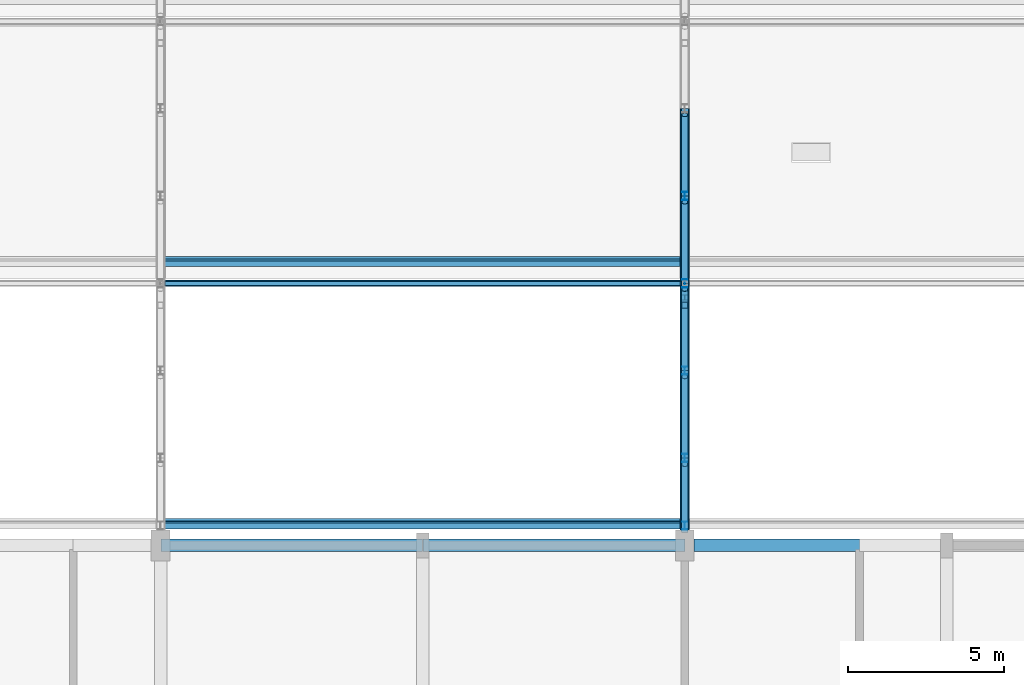
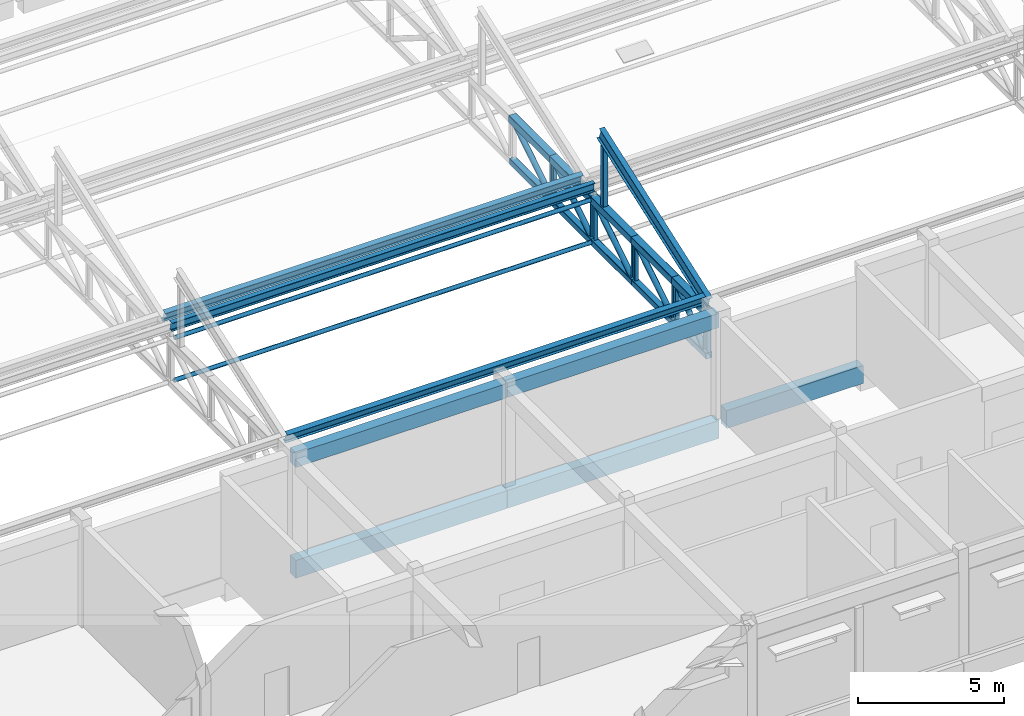
# One storey, part 26 of 101: 26 members, 6 beams.
"""IFC4 building model written with IfcOpenShell, lengths in metres."""

from ifc_helpers import new_model, si_unit, direction, frame, origin, origin_2d, place, context, subcontext, project, spatial, rectangle, hollow_rectangle, hollow_circle, i_section, extrude, material, material_profile, profile_set, type_object, element, save


model = new_model("IFC4")

# Units and contexts
model_context = context("Model", 3, precision=1e-05, world=origin(), true_north=direction((0.0, 1.0)))
body_context = subcontext(model_context, "Body", "Model", "MODEL_VIEW")
ifc_project = project(units=[si_unit("LENGTHUNIT", "METRE"), si_unit("AREAUNIT", "SQUARE_METRE"), si_unit("VOLUMEUNIT", "CUBIC_METRE"), si_unit("PLANEANGLEUNIT", "RADIAN"), si_unit("MASSUNIT", "GRAM", prefix="KILO")], contexts=[model_context])

# Site, building, storey
site_placement = place(None, origin())
site = spatial("IfcSite", under=ifc_project, at=site_placement, CompositionType="ELEMENT")
building_placement = place(site_placement, origin())
building = spatial("IfcBuilding", under=site, at=building_placement, Name="Fescue Hill Polytechnic", CompositionType="ELEMENT")
storey_placement = place(building_placement, frame((0.0, 0.0, 9.0)))
storey = spatial("IfcBuildingStorey", under=building, at=storey_placement, Name="L02", CompositionType="ELEMENT", Elevation=9.0)

# Beams
ifc_material_1 = material(Name="Concrete 35 MPa", Category="concrete")
ifc_material_profile_1 = material_profile(ifc_material_1, rectangle(XDim=0.39990234375, YDim=0.60009765625, at=origin_2d()), Name="RC 400x600")
ifc_profile_set_1 = profile_set([ifc_material_profile_1], Name="Concrete 35 MPa")
beam_type_1 = type_object("IfcBeamType", Name="Beam RC 400x600", PredefinedType="BEAM", material=ifc_profile_set_1)
beam_1_placement = place(storey_placement, frame((67.2099609375, 16.800048828125, 3.89990234375), z_axis=(1.0, 0.0, 0.0), x_axis=(0.0, 1.0, 0.0)))
element("IfcBeam", 1, at=beam_1_placement, inside=storey, type_object=beam_type_1, Name="BR-L02-0041", PredefinedType="BEAM", context=body_context, shape_type="SweptSolid", body=[
    extrude(rectangle(XDim=0.39990234375, YDim=0.60009765625, at=origin_2d()), origin(), (0.0, 0.0, 1.0), 8.380126953125),
])
beam_2_placement = place(storey_placement, frame((75.610107421875, 16.800048828125, 3.89990234375), z_axis=(1.0, 0.0, 0.0), x_axis=(0.0, 1.0, 0.0)))
element("IfcBeam", 2, at=beam_2_placement, inside=storey, type_object=beam_type_1, Name="BR-L02-0046", PredefinedType="BEAM", context=body_context, shape_type="SweptSolid", body=[
    extrude(rectangle(XDim=0.39990234375, YDim=0.60009765625, at=origin_2d()), origin(), (0.0, 0.0, 1.0), 8.389892578125),
])
ifc_material_profile_2 = material_profile(ifc_material_1, rectangle(XDim=0.39990234375, YDim=0.75, at=origin_2d()), Name="RC 400x750")
ifc_profile_set_2 = profile_set([ifc_material_profile_2], Name="Concrete 35 MPa")
beam_type_2 = type_object("IfcBeamType", Name="Beam RC 400x750", PredefinedType="BEAM", material=ifc_profile_set_2)
beam_3_placement = place(storey_placement, frame((67.2099609375, 16.800048828125, -0.675048828125), z_axis=(1.0, 0.0, 0.0), x_axis=(0.0, 1.0, 0.0)))
element("IfcBeam", 3, at=beam_3_placement, inside=storey, type_object=beam_type_2, Name="BM-L02-0083", PredefinedType="BEAM", context=body_context, shape_type="SweptSolid", body=[
    extrude(rectangle(XDim=0.39990234375, YDim=0.75, at=origin_2d()), origin(), (0.0, 0.0, 1.0), 8.380126953125),
])
beam_4_placement = place(storey_placement, frame((75.610107421875, 16.800048828125, -0.675048828125), z_axis=(1.0, 0.0, 0.0), x_axis=(0.0, 1.0, 0.0)))
element("IfcBeam", 4, at=beam_4_placement, inside=storey, type_object=beam_type_2, Name="BM-L02-0088", PredefinedType="BEAM", context=body_context, shape_type="SweptSolid", body=[
    extrude(rectangle(XDim=0.39990234375, YDim=0.75, at=origin_2d()), origin(), (0.0, 0.0, 1.0), 8.389892578125),
])
beam_5_placement = place(storey_placement, frame((84.300048828125, 16.800048828125, -0.375), z_axis=(1.0, 0.0, 0.0), x_axis=(0.0, 1.0, 0.0)))
element("IfcBeam", 5, at=beam_5_placement, inside=storey, type_object=beam_type_2, Name="BM-L02-0158", PredefinedType="BEAM", context=body_context, shape_type="SweptSolid", body=[
    extrude(rectangle(XDim=0.39990234375, YDim=0.75, at=origin_2d()), origin(), (0.0, 0.0, 1.0), 5.425048828125),
])

# Members
ifc_material_2 = material(Name="Steel 350W (350 MPa)", Category="steel")
ifc_material_profile_3 = material_profile(ifc_material_2, hollow_rectangle(XDim=0.25390625, YDim=0.25390625, WallThickness=0.0126953125, InnerFilletRadius=0.0126953125, OuterFilletRadius=0.025390625, at=origin_2d()), Name="Hall truss bottom chord HSS 254x254x13")
ifc_profile_set_3 = profile_set([ifc_material_profile_3], Name="Steel 350W (350 MPa)")
member_type_1 = type_object("IfcMemberType", Name="Hall truss bottom chord HSS 254x254x13", PredefinedType="CHORD", material=ifc_profile_set_3)
member_1_placement = place(storey_placement, frame((84.0, 17.300048828125, 2.0), z_axis=(0.0, 1.0, 0.0), x_axis=(-1.0, 0.0, 0.0)))
element("IfcMember", 6, at=member_1_placement, inside=storey, type_object=member_type_1, Name="Truss TR6 bottom chord 1", PredefinedType="CHORD", context=body_context, shape_type="SweptSolid", body=[
    extrude(hollow_rectangle(XDim=0.25390625, YDim=0.25390625, WallThickness=0.0126953125, InnerFilletRadius=0.0126953125, OuterFilletRadius=0.025390625, at=origin_2d()), origin(), (0.0, 0.0, 1.0), 2.300048828125),
])
member_2_placement = place(storey_placement, frame((84.0, 19.60009765625, 2.0), z_axis=(0.0, 1.0, 0.0), x_axis=(-1.0, 0.0, 0.0)))
element("IfcMember", 7, at=member_2_placement, inside=storey, type_object=member_type_1, Name="Truss TR6 bottom chord 2", PredefinedType="CHORD", context=body_context, shape_type="SweptSolid", body=[
    extrude(hollow_rectangle(XDim=0.25390625, YDim=0.25390625, WallThickness=0.0126953125, InnerFilletRadius=0.0126953125, OuterFilletRadius=0.025390625, at=origin_2d()), origin(), (0.0, 0.0, 1.0), 2.7998046875),
])
for number, where, z_axis, x_axis, name in (
    (8, (84.0, 22.39990234375, 2.0), (0.0, 1.0, 0.0), (-1.0, 0.0, 0.0), "Truss TR6 bottom chord 3"),
    (9, (84.0, 25.199951171875, 2.0), (0.0, 1.0, 0.0), (-1.0, 0.0, 0.0), "Truss TR6 bottom chord 4"),
    (10, (84.0, 28.0, 2.0), (0.0, 1.0, 0.0), (-1.0, 0.0, 0.0), "Truss TR6 bottom chord 5"),
):
    element("IfcMember", number, at=place(storey_placement, frame(where, z_axis=z_axis, x_axis=x_axis)), inside=storey, type_object=member_type_1, Name=name, PredefinedType="CHORD", context=body_context, shape_type="SweptSolid", body=[
        extrude(hollow_rectangle(XDim=0.25390625, YDim=0.25390625, WallThickness=0.0126953125, InnerFilletRadius=0.0126953125, OuterFilletRadius=0.025390625, at=origin_2d()), origin(), (0.0, 0.0, 1.0), 2.800048828125),
    ])
ifc_material_profile_4 = material_profile(ifc_material_2, hollow_circle(Radius=0.109619140625, WallThickness=0.009521484375, at=origin_2d()), Name="Hall truss diagonal CHS 219x9.5")
ifc_profile_set_4 = profile_set([ifc_material_profile_4], Name="Steel 350W (350 MPa)")
member_type_2 = type_object("IfcMemberType", Name="Hall truss diagonal CHS 219x9.5", PredefinedType="BRACE", material=ifc_profile_set_4)
member_3_placement = place(storey_placement, frame((84.0, 17.633056640625, 2.126953125), z_axis=(0.0, 0.761443253909, 0.648231572107), x_axis=(-1.0, 0.0, 0.0)))
element("IfcMember", 11, at=member_3_placement, inside=storey, type_object=member_type_2, Name="Truss TR6 diagonal 1", PredefinedType="BRACE", context=body_context, shape_type="SweptSolid", body=[
    extrude(hollow_circle(Radius=0.109619140625, WallThickness=0.009521484375, at=origin_2d()), origin(), (0.0, 0.0, 1.0), 2.3203125),
])
for number, where, z_axis, x_axis, name in (
    (12, (84.0, 19.800048828125, 2.126953125), (0.0, 0.847329350891, 0.531067765091), (-1.0, 0.0, 0.0), "Truss TR6 diagonal 2"),
    (13, (84.0, 22.60009765625, 2.126953125), (0.0, 0.847329350891, 0.531067765091), (-1.0, 0.0, 0.0), "Truss TR6 diagonal 3"),
):
    element("IfcMember", number, at=place(storey_placement, frame(where, z_axis=z_axis, x_axis=x_axis)), inside=storey, type_object=member_type_2, Name=name, PredefinedType="BRACE", context=body_context, shape_type="SweptSolid", body=[
        extrude(hollow_circle(Radius=0.109619140625, WallThickness=0.009521484375, at=origin_2d()), origin(), (0.0, 0.0, 1.0), 2.832275390625),
    ])
for number, where, z_axis, x_axis, name in (
    (14, (84.0, 25.39990234375, 2.126953125), (0.0, 0.847353658992, 0.531028979051), (-1.0, 0.0, 0.0), "Truss TR6 diagonal 4"),
    (15, (84.0, 28.199951171875, 2.126953125), (0.0, 0.847353658992, 0.531028979051), (-1.0, 0.0, 0.0), "Truss TR6 diagonal 5"),
):
    element("IfcMember", number, at=place(storey_placement, frame(where, z_axis=z_axis, x_axis=x_axis)), inside=storey, type_object=member_type_2, Name=name, PredefinedType="BRACE", context=body_context, shape_type="SweptSolid", body=[
        extrude(hollow_circle(Radius=0.109619140625, WallThickness=0.009521484375, at=origin_2d()), origin(), (0.0, 0.0, 1.0), 2.83251953125),
    ])
ifc_material_profile_5 = material_profile(ifc_material_2, i_section(OverallWidth=0.14794921875, OverallDepth=0.26611328125, WebThickness=0.007568359375, FlangeThickness=0.012939453125, FilletRadius=0.013916015625, at=origin_2d()), Name="W250x45")
ifc_profile_set_5 = profile_set([ifc_material_profile_5], Name="Steel 350W (350 MPa)")
member_type_3 = type_object("IfcMemberType", Name="Hall truss post W250x45", PredefinedType="POST", material=ifc_profile_set_5)
for number, where, z_axis, x_axis, name in (
    (16, (84.0, 17.43310546875, 2.126953125), (0.0, 0.0, 1.0), (1.0, 0.0, 0.0), "Truss TR6 post 1"),
    (17, (84.0, 19.60009765625, 2.126953125), (0.0, 0.0, 1.0), (1.0, 0.0, 0.0), "Truss TR6 post 2"),
    (18, (84.0, 22.39990234375, 2.126953125), (0.0, 0.0, 1.0), (1.0, 0.0, 0.0), "Truss TR6 post 3"),
    (19, (84.0, 25.199951171875, 2.126953125), (0.0, 0.0, 1.0), (1.0, 0.0, 0.0), "Truss TR6 post 4"),
    (20, (84.0, 28.0, 2.126953125), (0.0, 0.0, 1.0), (1.0, 0.0, 0.0), "Truss TR6 post 5"),
):
    element("IfcMember", number, at=place(storey_placement, frame(where, z_axis=z_axis, x_axis=x_axis)), inside=storey, type_object=member_type_3, Name=name, PredefinedType="POST", context=body_context, shape_type="SweptSolid", body=[
        extrude(i_section(OverallWidth=0.14794921875, OverallDepth=0.26611328125, WebThickness=0.007568359375, FlangeThickness=0.012939453125, FilletRadius=0.013916015625, at=origin_2d()), origin(), (0.0, 0.0, 1.0), 1.504150390625),
    ])
ifc_material_profile_6 = material_profile(ifc_material_2, hollow_circle(Radius=0.084228515625, WallThickness=0.009521484375, at=origin_2d()), Name="Hall truss tie strut CHS 168x9.5")
ifc_profile_set_6 = profile_set([ifc_material_profile_6], Name="Steel 350W (350 MPa)")
member_type_4 = type_object("IfcMemberType", Name="Hall truss tie strut CHS 168x9.5", PredefinedType="STRUT", material=ifc_profile_set_6)
member_4_placement = place(storey_placement, frame((67.352294921875, 25.199951171875, 3.783447265625), z_axis=(1.0, 0.0, 0.0), x_axis=(0.0, 1.0, 0.0)))
element("IfcMember", 21, at=member_4_placement, inside=storey, type_object=member_type_4, Name="Top chord tie strut bay 5 line 1", PredefinedType="STRUT", context=body_context, shape_type="SweptSolid", body=[
    extrude(hollow_circle(Radius=0.084228515625, WallThickness=0.009521484375, at=origin_2d()), origin(), (0.0, 0.0, 1.0), 16.495361328125),
])
member_5_placement = place(storey_placement, frame((67.326904296875, 25.199951171875, 2.0), z_axis=(1.0, 0.0, 0.0), x_axis=(0.0, 1.0, 0.0)))
element("IfcMember", 22, at=member_5_placement, inside=storey, type_object=member_type_4, Name="Bottom chord tie strut bay 5 line 1", PredefinedType="STRUT", context=body_context, shape_type="SweptSolid", body=[
    extrude(hollow_circle(Radius=0.084228515625, WallThickness=0.009521484375, at=origin_2d()), origin(), (0.0, 0.0, 1.0), 16.546142578125),
])
ifc_material_profile_7 = material_profile(ifc_material_2, hollow_rectangle(XDim=0.3046875, YDim=0.3046875, WallThickness=0.0126953125, InnerFilletRadius=0.0126953125, OuterFilletRadius=0.025390625, at=origin_2d()), Name="Hall truss top chord HSS 305x305x13")
ifc_profile_set_7 = profile_set([ifc_material_profile_7], Name="Steel 350W (350 MPa)")
member_type_5 = type_object("IfcMemberType", Name="Hall truss top chord HSS 305x305x13", PredefinedType="CHORD", material=ifc_profile_set_7)
member_6_placement = place(storey_placement, frame((84.0, 17.300048828125, 3.783447265625), z_axis=(0.0, 1.0, 0.0), x_axis=(-1.0, 0.0, 0.0)))
element("IfcMember", 23, at=member_6_placement, inside=storey, type_object=member_type_5, Name="Truss TR6 top chord 1", PredefinedType="CHORD", context=body_context, shape_type="SweptSolid", body=[
    extrude(hollow_rectangle(XDim=0.3046875, YDim=0.3046875, WallThickness=0.0126953125, InnerFilletRadius=0.0126953125, OuterFilletRadius=0.025390625, at=origin_2d()), origin(), (0.0, 0.0, 1.0), 2.300048828125),
])
member_7_placement = place(storey_placement, frame((84.0, 19.60009765625, 3.783447265625), z_axis=(0.0, 1.0, 0.0), x_axis=(-1.0, 0.0, 0.0)))
element("IfcMember", 24, at=member_7_placement, inside=storey, type_object=member_type_5, Name="Truss TR6 top chord 2", PredefinedType="CHORD", context=body_context, shape_type="SweptSolid", body=[
    extrude(hollow_rectangle(XDim=0.3046875, YDim=0.3046875, WallThickness=0.0126953125, InnerFilletRadius=0.0126953125, OuterFilletRadius=0.025390625, at=origin_2d()), origin(), (0.0, 0.0, 1.0), 2.7998046875),
])
for number, where, z_axis, x_axis, name in (
    (25, (84.0, 22.39990234375, 3.783447265625), (0.0, 1.0, 0.0), (-1.0, 0.0, 0.0), "Truss TR6 top chord 3"),
    (26, (84.0, 25.199951171875, 3.783447265625), (0.0, 1.0, 0.0), (-1.0, 0.0, 0.0), "Truss TR6 top chord 4"),
    (27, (84.0, 28.0, 3.783447265625), (0.0, 1.0, 0.0), (-1.0, 0.0, 0.0), "Truss TR6 top chord 5"),
):
    element("IfcMember", number, at=place(storey_placement, frame(where, z_axis=z_axis, x_axis=x_axis)), inside=storey, type_object=member_type_5, Name=name, PredefinedType="CHORD", context=body_context, shape_type="SweptSolid", body=[
        extrude(hollow_rectangle(XDim=0.3046875, YDim=0.3046875, WallThickness=0.0126953125, InnerFilletRadius=0.0126953125, OuterFilletRadius=0.025390625, at=origin_2d()), origin(), (0.0, 0.0, 1.0), 2.800048828125),
    ])
ifc_material_profile_8 = material_profile(ifc_material_2, i_section(OverallWidth=0.18994140625, OverallDepth=0.45703125, WebThickness=0.009033203125, FlangeThickness=0.014404296875, FilletRadius=0.0166015625, at=origin_2d()), Name="W460x74")
ifc_profile_set_8 = profile_set([ifc_material_profile_8], Name="Steel 350W (350 MPa)")
member_type_6 = type_object("IfcMemberType", Name="Tooth purlin W460x74", PredefinedType="PURLIN", material=ifc_profile_set_8)
for number, where, z_axis, x_axis, name in (
    (28, (67.304443359375, 17.5, 4.294921875), (1.0, 0.0, 0.0), (0.0, 0.941741911595, 0.336336396997), "Tooth 1 purlin 1 bay 5"),
    (29, (67.304443359375, 25.89990234375, 4.294921875), (1.0, 0.0, 0.0), (0.0, 0.941741911595, 0.336336396997), "Tooth 2 purlin 1 bay 5"),
):
    element("IfcMember", number, at=place(storey_placement, frame(where, z_axis=z_axis, x_axis=x_axis)), inside=storey, type_object=member_type_6, Name=name, PredefinedType="PURLIN", context=body_context, shape_type="SweptSolid", body=[
        extrude(i_section(OverallWidth=0.18994140625, OverallDepth=0.45703125, WebThickness=0.009033203125, FlangeThickness=0.014404296875, FilletRadius=0.0166015625, at=origin_2d()), origin(), (0.0, 0.0, 1.0), 16.591064453125),
    ])
ifc_material_profile_9 = material_profile(ifc_material_2, i_section(OverallWidth=0.208984375, OverallDepth=0.532958984375, WebThickness=0.01025390625, FlangeThickness=0.015625, FilletRadius=0.016357421875, at=origin_2d()), Name="W530x92")
ifc_profile_set_9 = profile_set([ifc_material_profile_9], Name="Steel 350W (350 MPa)")
member_type_7 = type_object("IfcMemberType", Name="Tooth rafter W530x92", PredefinedType="RAFTER", material=ifc_profile_set_9)
member_8_placement = place(storey_placement, frame((84.0, 17.310302734375, 4.18701171875), z_axis=(0.0, 0.941744009147, 0.336330523793), x_axis=(-1.0, 0.0, 0.0)))
element("IfcMember", 30, at=member_8_placement, inside=storey, type_object=member_type_7, Name="Tooth 1 rafter on TR6", PredefinedType="RAFTER", context=body_context, shape_type="SweptSolid", body=[
    extrude(i_section(OverallWidth=0.208984375, OverallDepth=0.532958984375, WebThickness=0.01025390625, FlangeThickness=0.015625, FilletRadius=0.016357421875, at=origin_2d()), origin(), (0.0, 0.0, 1.0), 7.89990234375),
])
ifc_material_profile_10 = material_profile(ifc_material_2, hollow_rectangle(XDim=0.203125, YDim=0.203125, WallThickness=0.009521484375, InnerFilletRadius=0.009521484375, OuterFilletRadius=0.01904296875, at=origin_2d()), Name="Tooth ridge post HSS 203x203x9.5")
ifc_profile_set_10 = profile_set([ifc_material_profile_10], Name="Steel 350W (350 MPa)")
member_type_8 = type_object("IfcMemberType", Name="Tooth ridge post HSS 203x203x9.5", PredefinedType="POST", material=ifc_profile_set_10)
member_9_placement = place(storey_placement, frame((84.0, 24.5, 3.93603515625), z_axis=(0.0, 0.0, 1.0), x_axis=(1.0, 0.0, 0.0)))
element("IfcMember", 31, at=member_9_placement, inside=storey, type_object=member_type_8, Name="Tooth 1 ridge post on TR6", PredefinedType="POST", context=body_context, shape_type="SweptSolid", body=[
    extrude(hollow_rectangle(XDim=0.203125, YDim=0.203125, WallThickness=0.009521484375, InnerFilletRadius=0.009521484375, OuterFilletRadius=0.01904296875, at=origin_2d()), origin(), (0.0, 0.0, 1.0), 2.499267578125),
])

# Beam
ifc_material_profile_11 = material_profile(ifc_material_2, i_section(OverallWidth=0.2041015625, OverallDepth=0.35009765625, WebThickness=0.008544921875, FlangeThickness=0.01513671875, FilletRadius=0.02197265625, at=origin_2d()), Name="W360x72")
ifc_profile_set_11 = profile_set([ifc_material_profile_11], Name="Steel 350W (350 MPa)")
beam_type_3 = type_object("IfcBeamType", Name="Valley gutter beam W360x72", PredefinedType="BEAM", material=ifc_profile_set_11)
beam_6_placement = place(storey_placement, frame((67.199951171875, 25.199951171875, 4.324951171875), z_axis=(1.0, 0.0, 0.0), x_axis=(0.0, 1.0, 0.0)))
element("IfcBeam", 32, at=beam_6_placement, inside=storey, type_object=beam_type_3, Name="Valley 2 gutter beam bay 5", PredefinedType="BEAM", context=body_context, shape_type="SweptSolid", body=[
    extrude(i_section(OverallWidth=0.2041015625, OverallDepth=0.35009765625, WebThickness=0.008544921875, FlangeThickness=0.01513671875, FilletRadius=0.02197265625, at=origin_2d()), origin(), (0.0, 0.0, 1.0), 16.800048828125),
])

save(model, "model.ifc")
